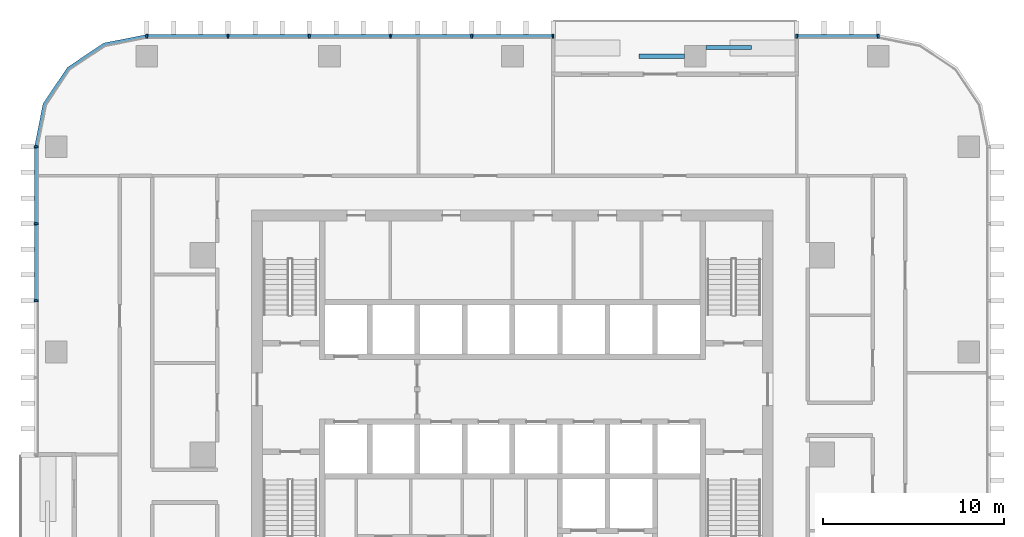
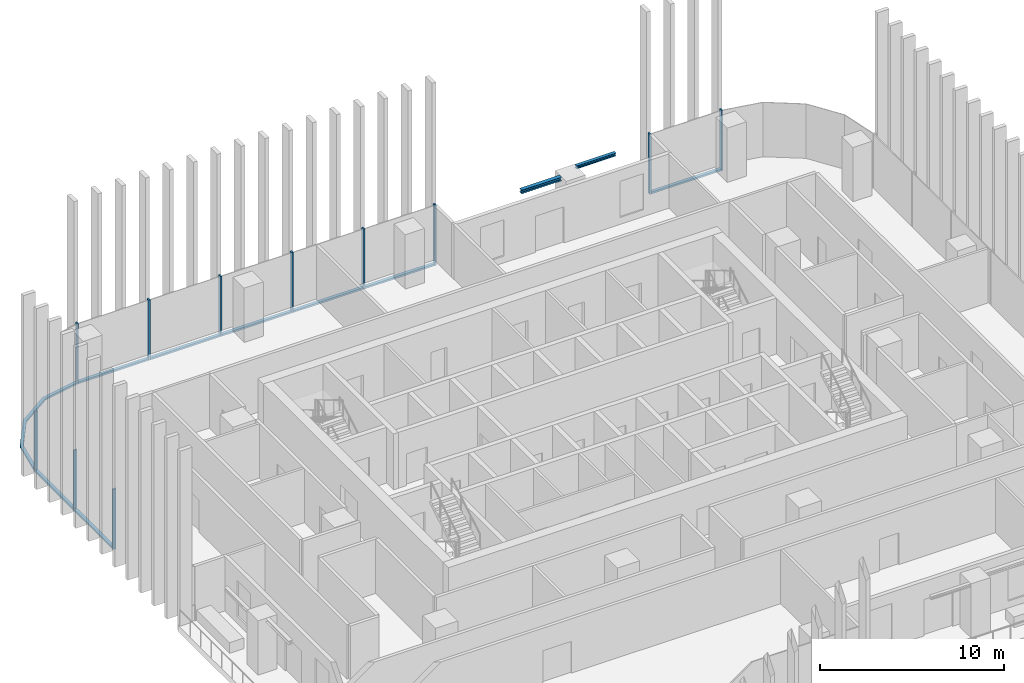
# One storey, part 4 of 16: 20 members, 2 beams, 4 elements without a shape of their own.
"""IFC4 building model written with IfcOpenShell, lengths in metres."""

from ifc_helpers import new_model, si_unit, direction, frame, origin, origin_2d, place, context, subcontext, project, spatial, polyline, rectangle, i_section, outline, extrude, material, material_profile, profile_set, type_object, element, aggregate, save


model = new_model("IFC4")

# Units and contexts
model_context = context("Model", 3, precision=1e-05, world=origin(), true_north=direction((0.0, 1.0)))
body_context = subcontext(model_context, "Body", "Model", "MODEL_VIEW")
ifc_project = project(units=[si_unit("LENGTHUNIT", "METRE"), si_unit("AREAUNIT", "SQUARE_METRE"), si_unit("VOLUMEUNIT", "CUBIC_METRE"), si_unit("PLANEANGLEUNIT", "RADIAN"), si_unit("MASSUNIT", "GRAM", prefix="KILO")], contexts=[model_context])

# Site, building, storey
site_placement = place(None, origin())
site = spatial("IfcSite", under=ifc_project, at=site_placement, CompositionType="ELEMENT")
building_placement = place(site_placement, origin())
building = spatial("IfcBuilding", under=site, at=building_placement, Name="Mopane Tessera Tower", CompositionType="ELEMENT")
storey_placement = place(building_placement, frame((0.0, 0.0, 181.0)))
storey = spatial("IfcBuildingStorey", under=building, at=storey_placement, Name="L37", CompositionType="ELEMENT", Elevation=181.0)

# Curtain wall, members
ifc_material_1 = material(Name="Aluminium frame", Category="aluminium")
curtain_wall_type = type_object("IfcCurtainWallType", Name="Unitised curtain wall", PredefinedType="NOTDEFINED", material=ifc_material_1)
curtain_wall_1_placement = place(storey_placement, origin())
curtain_wall_1 = element("IfcCurtainWall", 1, at=curtain_wall_1_placement, inside=storey, type_object=curtain_wall_type, Name="e:cw:L37:N:0", PredefinedType="NOTDEFINED")
ifc_material_2 = material(Name="Aluminium frame", Category="aluminium")
ifc_material_profile_1 = material_profile(ifc_material_2, rectangle(XDim=0.10009765625, YDim=0.199951171875, at=origin_2d()))
ifc_profile_set_1 = profile_set([ifc_material_profile_1], Name="Aluminium frame")
member_type_1 = type_object("IfcMemberType", Name="Aluminium mullion 100 x 200", PredefinedType="MULLION", material=ifc_profile_set_1)
member_1_placement = place(storey_placement, frame((20.199951171875, 23.10009765625, -0.39990234375), z_axis=(0.0, 0.0, 1.0), x_axis=(-1.0, 0.0, 0.0)))
member_1 = element("IfcMember", 2, at=member_1_placement, type_object=member_type_1, Name="e:cw:L37:N:0:mu0", PredefinedType="MULLION", context=body_context, shape_type="SweptSolid", body=[
    extrude(rectangle(XDim=0.10009765625, YDim=0.199951171875, at=origin_2d()), origin(), (0.0, 0.0, 1.0), 4.0),
])
member_2_placement = place(storey_placement, frame((15.711181640625, 23.10009765625, -0.39990234375), z_axis=(0.0, 0.0, 1.0), x_axis=(-1.0, 0.0, 0.0)))
member_2 = element("IfcMember", 3, at=member_2_placement, type_object=member_type_1, Name="e:cw:L37:N:0:mu1", PredefinedType="MULLION", context=body_context, shape_type="SweptSolid", body=[
    extrude(rectangle(XDim=0.10009765625, YDim=0.199951171875, at=origin_2d()), origin(), (0.0, 0.0, 1.0), 4.0),
])

curtain_wall_2_placement = place(storey_placement, origin())
curtain_wall_2 = element("IfcCurtainWall", 4, at=curtain_wall_2_placement, inside=storey, type_object=curtain_wall_type, Name="e:cw:L37:N:4", PredefinedType="NOTDEFINED")
member_3_placement = place(storey_placement, frame((2.244384765625, 23.10009765625, -0.39990234375), z_axis=(0.0, 0.0, 1.0), x_axis=(-1.0, 0.0, 0.0)))
member_3 = element("IfcMember", 5, at=member_3_placement, type_object=member_type_1, Name="e:cw:L37:N:4:mu4", PredefinedType="MULLION", context=body_context, shape_type="SweptSolid", body=[
    extrude(rectangle(XDim=0.10009765625, YDim=0.199951171875, at=origin_2d()), origin(), (0.0, 0.0, 1.0), 4.0),
])
member_4_placement = place(storey_placement, frame((-2.244384765625, 23.10009765625, -0.39990234375), z_axis=(0.0, 0.0, 1.0), x_axis=(-1.0, 0.0, 0.0)))
member_4 = element("IfcMember", 6, at=member_4_placement, type_object=member_type_1, Name="e:cw:L37:N:4:mu5", PredefinedType="MULLION", context=body_context, shape_type="SweptSolid", body=[
    extrude(rectangle(XDim=0.10009765625, YDim=0.199951171875, at=origin_2d()), origin(), (0.0, 0.0, 1.0), 4.0),
])
member_5_placement = place(storey_placement, frame((-6.7333984375, 23.10009765625, -0.39990234375), z_axis=(0.0, 0.0, 1.0), x_axis=(-1.0, 0.0, 0.0)))
member_5 = element("IfcMember", 7, at=member_5_placement, type_object=member_type_1, Name="e:cw:L37:N:4:mu6", PredefinedType="MULLION", context=body_context, shape_type="SweptSolid", body=[
    extrude(rectangle(XDim=0.10009765625, YDim=0.199951171875, at=origin_2d()), origin(), (0.0, 0.0, 1.0), 4.0),
])
member_6_placement = place(storey_placement, frame((-11.22216796875, 23.10009765625, -0.39990234375), z_axis=(0.0, 0.0, 1.0), x_axis=(-1.0, 0.0, 0.0)))
member_6 = element("IfcMember", 8, at=member_6_placement, type_object=member_type_1, Name="e:cw:L37:N:4:mu7", PredefinedType="MULLION", context=body_context, shape_type="SweptSolid", body=[
    extrude(rectangle(XDim=0.10009765625, YDim=0.199951171875, at=origin_2d()), origin(), (0.0, 0.0, 1.0), 4.0),
])
member_7_placement = place(storey_placement, frame((-15.711181640625, 23.10009765625, -0.39990234375), z_axis=(0.0, 0.0, 1.0), x_axis=(-1.0, 0.0, 0.0)))
member_7 = element("IfcMember", 9, at=member_7_placement, type_object=member_type_1, Name="e:cw:L37:N:4:mu8", PredefinedType="MULLION", context=body_context, shape_type="SweptSolid", body=[
    extrude(rectangle(XDim=0.10009765625, YDim=0.199951171875, at=origin_2d()), origin(), (0.0, 0.0, 1.0), 4.0),
])
member_8_placement = place(storey_placement, frame((-20.199951171875, 23.10009765625, -0.39990234375), z_axis=(0.0, 0.0, 1.0), x_axis=(-1.0, 0.0, 0.0)))
member_8 = element("IfcMember", 10, at=member_8_placement, type_object=member_type_1, Name="e:cw:L37:N:4:mu9", PredefinedType="MULLION", context=body_context, shape_type="SweptSolid", body=[
    extrude(rectangle(XDim=0.10009765625, YDim=0.199951171875, at=origin_2d()), origin(), (0.0, 0.0, 1.0), 4.0),
])

curtain_wall_3_placement = place(storey_placement, origin())
curtain_wall_3 = element("IfcCurtainWall", 11, at=curtain_wall_3_placement, inside=storey, type_object=curtain_wall_type, Name="e:cw:L37:W:0", PredefinedType="NOTDEFINED")
member_9_placement = place(storey_placement, frame((-26.300048828125, 17.0, -0.39990234375), z_axis=(0.0, 0.0, 1.0), x_axis=(0.0, -1.0, 0.0)))
member_9 = element("IfcMember", 12, at=member_9_placement, type_object=member_type_1, Name="e:cw:L37:W:0:mu0", PredefinedType="MULLION", context=body_context, shape_type="SweptSolid", body=[
    extrude(rectangle(XDim=0.10009765625, YDim=0.199951171875, at=origin_2d()), origin(), (0.0, 0.0, 1.0), 4.0),
])
member_10_placement = place(storey_placement, frame((-26.300048828125, 12.75, -0.39990234375), z_axis=(0.0, 0.0, 1.0), x_axis=(0.0, -1.0, 0.0)))
member_10 = element("IfcMember", 13, at=member_10_placement, type_object=member_type_1, Name="e:cw:L37:W:0:mu1", PredefinedType="MULLION", context=body_context, shape_type="SweptSolid", body=[
    extrude(rectangle(XDim=0.10009765625, YDim=0.199951171875, at=origin_2d()), origin(), (0.0, 0.0, 1.0), 4.0),
])
member_11_placement = place(storey_placement, frame((-26.300048828125, 8.5, -0.39990234375), z_axis=(0.0, 0.0, 1.0), x_axis=(0.0, -1.0, 0.0)))
member_11 = element("IfcMember", 14, at=member_11_placement, type_object=member_type_1, Name="e:cw:L37:W:0:mu2", PredefinedType="MULLION", context=body_context, shape_type="SweptSolid", body=[
    extrude(rectangle(XDim=0.10009765625, YDim=0.199951171875, at=origin_2d()), origin(), (0.0, 0.0, 1.0), 4.0),
])

# Member
ifc_material_3 = material(Name="Aluminium frame", Category="aluminium")
ifc_material_profile_2 = material_profile(ifc_material_3, rectangle(XDim=0.199951171875, YDim=0.1201171875, at=origin_2d()))
ifc_profile_set_2 = profile_set([ifc_material_profile_2], Name="Aluminium frame")
member_type_2 = type_object("IfcMemberType", Name="Aluminium transom 200 x 120", PredefinedType="USERDEFINED", material=ifc_profile_set_2)
member_12_placement = place(storey_placement, frame((20.14990234375, 23.10009765625, -0.340087890625), z_axis=(-1.0, 0.0, 0.0), x_axis=(0.0, -1.0, 0.0)))
member_12 = element("IfcMember", 15, at=member_12_placement, type_object=member_type_2, Name="e:cw:L37:N:0:tr0", ObjectType="TRANSOM", PredefinedType="USERDEFINED", context=body_context, shape_type="SweptSolid", body=[
    extrude(rectangle(XDim=0.199951171875, YDim=0.1201171875, at=origin_2d()), origin(), (0.0, 0.0, 1.0), 4.388671875),
])

aggregate(curtain_wall_1, [member_1, member_2, member_12])

member_13_placement = place(storey_placement, frame((2.1943359375, 23.10009765625, -0.340087890625), z_axis=(-1.0, 0.0, 0.0), x_axis=(0.0, -1.0, 0.0)))
member_13 = element("IfcMember", 16, at=member_13_placement, type_object=member_type_2, Name="e:cw:L37:N:4:tr4", ObjectType="TRANSOM", PredefinedType="USERDEFINED", context=body_context, shape_type="SweptSolid", body=[
    extrude(rectangle(XDim=0.199951171875, YDim=0.1201171875, at=origin_2d()), origin(), (0.0, 0.0, 1.0), 4.388671875),
])

member_14_placement = place(storey_placement, frame((-2.29443359375, 23.10009765625, -0.340087890625), z_axis=(-1.0, 0.0, 0.0), x_axis=(0.0, -1.0, 0.0)))
member_14 = element("IfcMember", 17, at=member_14_placement, type_object=member_type_2, Name="e:cw:L37:N:4:tr5", ObjectType="TRANSOM", PredefinedType="USERDEFINED", context=body_context, shape_type="SweptSolid", body=[
    extrude(rectangle(XDim=0.199951171875, YDim=0.1201171875, at=origin_2d()), origin(), (0.0, 0.0, 1.0), 4.388916015625),
])

member_15_placement = place(storey_placement, frame((-6.783447265625, 23.10009765625, -0.340087890625), z_axis=(-1.0, 0.0, 0.0), x_axis=(0.0, -1.0, 0.0)))
member_15 = element("IfcMember", 18, at=member_15_placement, type_object=member_type_2, Name="e:cw:L37:N:4:tr6", ObjectType="TRANSOM", PredefinedType="USERDEFINED", context=body_context, shape_type="SweptSolid", body=[
    extrude(rectangle(XDim=0.199951171875, YDim=0.1201171875, at=origin_2d()), origin(), (0.0, 0.0, 1.0), 4.388671875),
])

member_16_placement = place(storey_placement, frame((-11.272216796875, 23.10009765625, -0.340087890625), z_axis=(-1.0, 0.0, 0.0), x_axis=(0.0, -1.0, 0.0)))
member_16 = element("IfcMember", 19, at=member_16_placement, type_object=member_type_2, Name="e:cw:L37:N:4:tr7", ObjectType="TRANSOM", PredefinedType="USERDEFINED", context=body_context, shape_type="SweptSolid", body=[
    extrude(rectangle(XDim=0.199951171875, YDim=0.1201171875, at=origin_2d()), origin(), (0.0, 0.0, 1.0), 4.388916015625),
])

member_17_placement = place(storey_placement, frame((-15.76123046875, 23.10009765625, -0.340087890625), z_axis=(-1.0, 0.0, 0.0), x_axis=(0.0, -1.0, 0.0)))
member_17 = element("IfcMember", 20, at=member_17_placement, type_object=member_type_2, Name="e:cw:L37:N:4:tr8", ObjectType="TRANSOM", PredefinedType="USERDEFINED", context=body_context, shape_type="SweptSolid", body=[
    extrude(rectangle(XDim=0.199951171875, YDim=0.1201171875, at=origin_2d()), origin(), (0.0, 0.0, 1.0), 4.388671875),
])

aggregate(curtain_wall_2, [member_3, member_4, member_5, member_6, member_7, member_8, member_13, member_14, member_15, member_16, member_17])

# Curtain wall, member
curtain_wall_4_placement = place(storey_placement, origin())
curtain_wall_4 = element("IfcCurtainWall", 21, at=curtain_wall_4_placement, inside=storey, type_object=curtain_wall_type, Name="e:cw:L37:CN", PredefinedType="NOTDEFINED")
member_18_placement = place(storey_placement, frame((0.0, 0.0, -0.39990234375)))
member_18 = element("IfcMember", 22, at=member_18_placement, type_object=member_type_2, Name="e:cw:L37:CN:tr", ObjectType="TRANSOM", PredefinedType="USERDEFINED", context=body_context, shape_type="SweptSolid", body=[
    extrude(outline(polyline([(-20.199951171875, 23.0), (-22.49609375, 22.543212890625), (-24.442626953125, 21.24267578125), (-25.7431640625, 19.296142578125), (-26.199951171875, 17.0), (-26.39990234375, 17.0), (-25.927978515625, 19.37255859375), (-24.583984375, 21.384033203125), (-22.57275390625, 22.72802734375), (-20.199951171875, 23.199951171875), (-20.199951171875, 23.0)])), origin(), (0.0, 0.0, 1.0), 0.119873046875),
])
aggregate(curtain_wall_4, [member_18])

# Member
member_19_placement = place(storey_placement, frame((-26.300048828125, 16.949951171875, -0.340087890625), z_axis=(0.0, -1.0, 0.0), x_axis=(1.0, 0.0, 0.0)))
member_19 = element("IfcMember", 23, at=member_19_placement, type_object=member_type_2, Name="e:cw:L37:W:0:tr0", ObjectType="TRANSOM", PredefinedType="USERDEFINED", context=body_context, shape_type="SweptSolid", body=[
    extrude(rectangle(XDim=0.199951171875, YDim=0.1201171875, at=origin_2d()), origin(), (0.0, 0.0, 1.0), 4.14990234375),
])

member_20_placement = place(storey_placement, frame((-26.300048828125, 12.699951171875, -0.340087890625), z_axis=(0.0, -1.0, 0.0), x_axis=(1.0, 0.0, 0.0)))
member_20 = element("IfcMember", 24, at=member_20_placement, type_object=member_type_2, Name="e:cw:L37:W:0:tr1", ObjectType="TRANSOM", PredefinedType="USERDEFINED", context=body_context, shape_type="SweptSolid", body=[
    extrude(rectangle(XDim=0.199951171875, YDim=0.1201171875, at=origin_2d()), origin(), (0.0, 0.0, 1.0), 4.14990234375),
])

aggregate(curtain_wall_3, [member_9, member_10, member_11, member_19, member_20])

# Beams
ifc_material_4 = material(Name="Structural steel S460", Category="steel")
ifc_material_profile_3 = material_profile(ifc_material_4, i_section(OverallWidth=0.239990234375, OverallDepth=0.239990234375, WebThickness=0.010009765625, FlangeThickness=0.01708984375, FilletRadius=0.02099609375, at=origin_2d()))
ifc_profile_set_3 = profile_set([ifc_material_profile_3], Name="Structural steel S460")
beam_type_1 = type_object("IfcBeamType", Name="Terrace spandrel beam HE 240 B", PredefinedType="SPANDREL", material=ifc_profile_set_3)
beam_1_placement = place(storey_placement, frame((9.4970703125, 22.0, 3.47998046875), z_axis=(-1.0, 0.0, 0.0), x_axis=(0.0, -1.0, 0.0)))
element("IfcBeam", 25, at=beam_1_placement, inside=storey, type_object=beam_type_1, Name="Terrace spandrel beam N3 L38", PredefinedType="SPANDREL", context=body_context, shape_type="SweptSolid", body=[
    extrude(i_section(OverallWidth=0.239990234375, OverallDepth=0.239990234375, WebThickness=0.010009765625, FlangeThickness=0.01708984375, FilletRadius=0.02099609375, at=origin_2d()), origin(), (0.0, 0.0, 1.0), 2.5),
])
ifc_material_5 = material(Name="Structural steel S460", Category="steel")
ifc_material_profile_4 = material_profile(ifc_material_5, i_section(OverallWidth=0.199951171875, OverallDepth=0.199951171875, WebThickness=0.009033203125, FlangeThickness=0.014892578125, FilletRadius=0.01806640625, at=origin_2d()))
ifc_profile_set_4 = profile_set([ifc_material_profile_4], Name="Structural steel S460")
beam_type_2 = type_object("IfcBeamType", Name="Terrace trimmer beam HE 200 B", PredefinedType="BEAM", material=ifc_profile_set_4)
beam_2_placement = place(storey_placement, frame((10.703125, 22.47998046875, 3.5), z_axis=(1.0, 0.0, 0.0), x_axis=(0.0, 1.0, 0.0)))
element("IfcBeam", 26, at=beam_2_placement, inside=storey, type_object=beam_type_2, Name="Terrace trimmer beam N3 L38", PredefinedType="BEAM", context=body_context, shape_type="SweptSolid", body=[
    extrude(i_section(OverallWidth=0.199951171875, OverallDepth=0.199951171875, WebThickness=0.009033203125, FlangeThickness=0.014892578125, FilletRadius=0.01806640625, at=origin_2d()), origin(), (0.0, 0.0, 1.0), 2.5),
])

save(model, "model.ifc")
